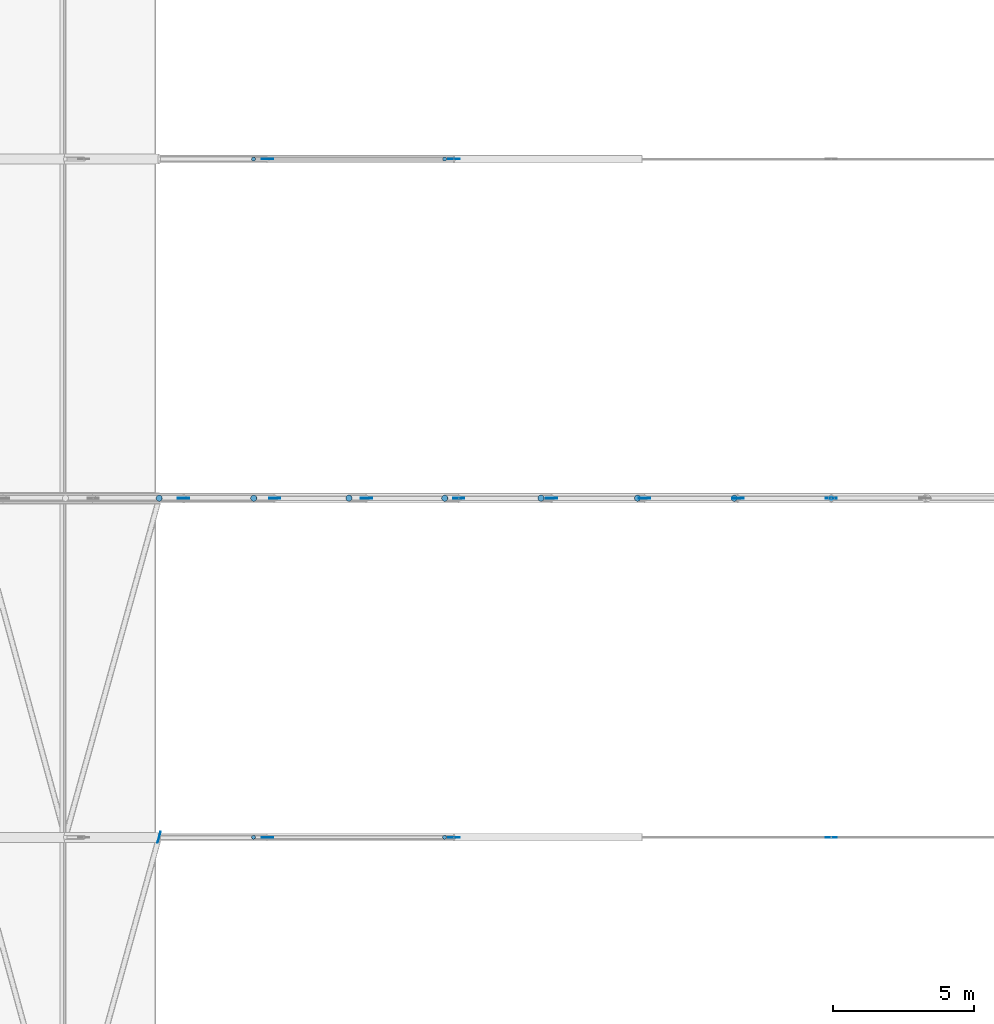
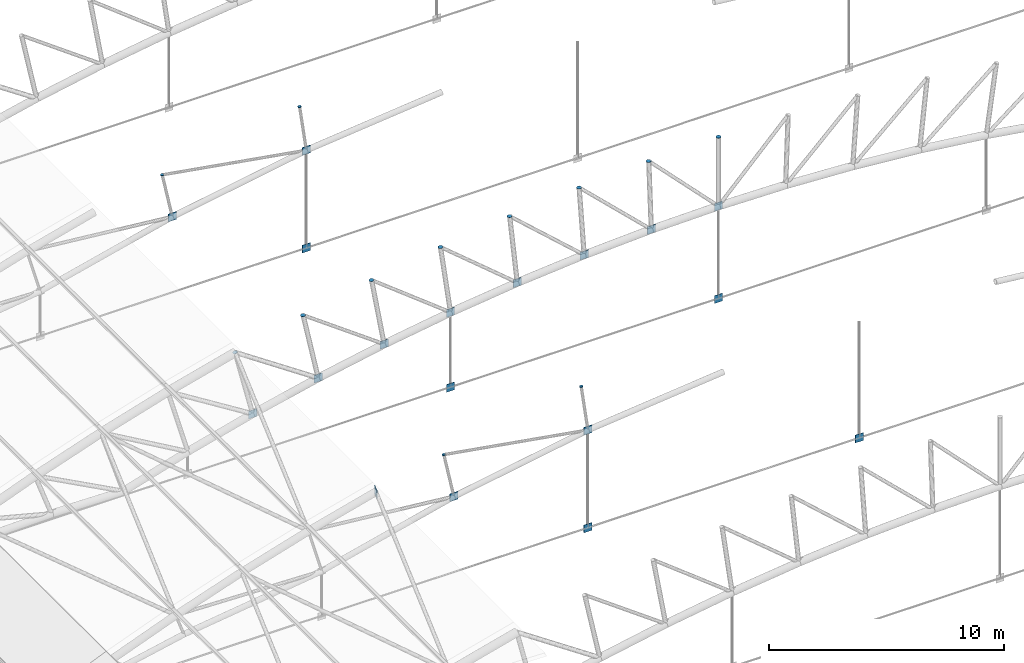
# One storey, part 275 of 321: 30 discrete accessories.
"""IFC4 building model written with IfcOpenShell, lengths in metres."""

from ifc_helpers import new_model, si_unit, direction, frame, origin, origin_2d, place, context, subcontext, project, spatial, rectangle, circle, extrude, material, material_profile, profile_set, type_object, element, save


model = new_model("IFC4")

# Units and contexts
model_context = context("Model", 3, precision=1e-05, world=origin(), true_north=direction((0.0, 1.0)))
body_context = subcontext(model_context, "Body", "Model", "MODEL_VIEW")
ifc_project = project(units=[si_unit("LENGTHUNIT", "METRE"), si_unit("AREAUNIT", "SQUARE_METRE"), si_unit("VOLUMEUNIT", "CUBIC_METRE"), si_unit("PLANEANGLEUNIT", "RADIAN"), si_unit("MASSUNIT", "GRAM", prefix="KILO")], contexts=[model_context])

# Site, building, storey
site_placement = place(None, origin())
site = spatial("IfcSite", under=ifc_project, at=site_placement, CompositionType="ELEMENT")
building_placement = place(site_placement, origin())
building = spatial("IfcBuilding", under=site, at=building_placement, Name="Ravi Spectrum Wholesale Market", CompositionType="ELEMENT")
storey_placement = place(building_placement, frame((0.0, 0.0, 10.800048828125)))
storey = spatial("IfcBuildingStorey", under=building, at=storey_placement, Name="L02", CompositionType="ELEMENT", Elevation=10.800048828125)

# Discrete accessories
ifc_material_1 = material(Name="Steel S355", Category="steel")
ifc_material_profile_1 = material_profile(ifc_material_1, circle(Radius=0.06982421875, at=origin_2d()))
ifc_profile_set_1 = profile_set([ifc_material_profile_1], Name="Steel S355")
discrete_accessory_type_1 = type_object("IfcDiscreteAccessoryType", Name="End plate CHS 139.7x5", PredefinedType="BRACKET", material=ifc_profile_set_1)
for number, where, z_axis, x_axis, name in (
    (1, (49.55859375, 114.0, 6.30224609375), (-0.203954254112, 0.0, 0.978980419738), (0.0, -1.0, 0.0), "End plate"),
    (2, (56.318115234375, 114.0, 7.479736328125), (-0.141421356237, 0.0, 0.989949493661), (0.0, -1.0, 0.0), "End plate"),
    (3, (49.55859375, 138.0, 6.30224609375), (-0.203954254112, 0.0, 0.978980419738), (0.0, -1.0, 0.0), "End plate"),
    (4, (56.318115234375, 138.0, 7.479736328125), (-0.141421356237, 0.0, 0.989949493661), (0.0, -1.0, 0.0), "End plate"),
):
    element("IfcDiscreteAccessory", number, at=place(storey_placement, frame(where, z_axis=z_axis, x_axis=x_axis)), inside=storey, type_object=discrete_accessory_type_1, Name=name, PredefinedType="BRACKET", context=body_context, shape_type="SweptSolid", body=[
        extrude(circle(Radius=0.06982421875, at=origin_2d()), origin(), (0.0, 0.0, 1.0), 0.011962890625),
    ])
ifc_material_2 = material(Name="Steel S355", Category="steel")
ifc_material_profile_2 = material_profile(ifc_material_2, circle(Radius=0.109619140625, at=origin_2d()))
ifc_profile_set_2 = profile_set([ifc_material_profile_2], Name="Steel S355")
discrete_accessory_type_2 = type_object("IfcDiscreteAccessoryType", Name="End plate CHS 219.1x8", PredefinedType="BRACKET", material=ifc_profile_set_2)
for number, where, z_axis, x_axis, name in (
    (5, (46.21923828125, 126.0, 5.514404296875), (-0.223376156329, 0.0, 0.974732318528), (0.0, -1.0, 0.0), "End plate"),
    (6, (49.563720703125, 126.0, 6.27734375), (-0.203954254112, 0.0, 0.978980419738), (0.0, -1.0, 0.0), "End plate"),
    (7, (52.9326171875, 126.0, 6.92431640625), (-0.18428853505, 0.0, 0.982872186934), (0.0, -1.0, 0.0), "End plate"),
    (8, (56.321533203125, 126.0, 7.45458984375), (-0.141421356237, 0.0, 0.989949493661), (0.0, -1.0, 0.0), "End plate"),
    (9, (59.726806640625, 126.0, 7.867919921875), (-0.101513688013, 0.0, 0.994834142531), (0.0, -1.0, 0.0), "End plate"),
    (10, (63.14453125, 126.0, 8.163330078125), (-0.081362009455, 0.0, 0.996684615823), (0.0, -1.0, 0.0), "End plate"),
    (11, (66.5703125, 126.0, 8.3408203125), (-0.040782369514, 0.0, 0.999168053101), (0.0, -1.0, 0.0), "End plate"),
    (12, (70.0, 126.0, 8.39990234375), (0.0, 0.0, 1.0), (1.0, 0.0, 0.0), "End plate"),
):
    element("IfcDiscreteAccessory", number, at=place(storey_placement, frame(where, z_axis=z_axis, x_axis=x_axis)), inside=storey, type_object=discrete_accessory_type_2, Name=name, PredefinedType="BRACKET", context=body_context, shape_type="SweptSolid", body=[
        extrude(circle(Radius=0.109619140625, at=origin_2d()), origin(), (0.0, 0.0, 1.0), 0.011962890625),
    ])
ifc_material_3 = material(Name="Steel S355", Category="steel")
ifc_material_profile_3 = material_profile(ifc_material_3, rectangle(XDim=0.39990234375, YDim=0.02001953125, at=origin_2d()))
ifc_profile_set_3 = profile_set([ifc_material_profile_3], Name="Steel S355")
discrete_accessory_type_3 = type_object("IfcDiscreteAccessoryType", Name="Gusset plate 400x400x20", PredefinedType="BRACKET", material=ifc_profile_set_3)
discrete_accessory_1_placement = place(storey_placement, frame((46.213134765625, 114.0, 5.339111328125), z_axis=(0.0, 0.0, 1.0), x_axis=(0.265907436453, 0.963998565994, 0.0)))
element("IfcDiscreteAccessory", 13, at=discrete_accessory_1_placement, inside=storey, type_object=discrete_accessory_type_3, Name="Gusset plate", PredefinedType="BRACKET", context=body_context, shape_type="SweptSolid", body=[
    extrude(rectangle(XDim=0.39990234375, YDim=0.02001953125, at=origin_2d()), origin(), (0.0, 0.0, 1.0), 0.400146484375),
])
for number, where, z_axis, x_axis, name in (
    (14, (47.080322265625, 126.0, 1.819091796875), (0.0, 0.0, 1.0), (1.0, 0.0, 0.0), "Gusset plate"),
    (15, (50.0517578125, 114.0, 3.75341796875), (0.0, 0.0, 1.0), (1.0, 0.0, 0.0), "Gusset plate"),
    (16, (50.0517578125, 138.0, 3.75341796875), (0.0, 0.0, 1.0), (1.0, 0.0, 0.0), "Gusset plate"),
    (17, (50.3037109375, 126.0, 2.55419921875), (0.0, 0.0, 1.0), (1.0, 0.0, 0.0), "Gusset plate"),
    (18, (53.55029296875, 126.0, 3.177734375), (0.0, 0.0, 1.0), (1.0, 0.0, 0.0), "Gusset plate"),
    (19, (56.648193359375, 114.0, -0.1767578125), (0.0, 0.0, 1.0), (1.0, 0.0, 0.0), "Gusset plate"),
):
    element("IfcDiscreteAccessory", number, at=place(storey_placement, frame(where, z_axis=z_axis, x_axis=x_axis)), inside=storey, type_object=discrete_accessory_type_3, Name=name, PredefinedType="BRACKET", context=body_context, shape_type="SweptSolid", body=[
        extrude(rectangle(XDim=0.39990234375, YDim=0.02001953125, at=origin_2d()), origin(), (0.0, 0.0, 1.0), 0.39990234375),
    ])
discrete_accessory_2_placement = place(storey_placement, frame((56.648193359375, 114.0, 4.902587890625), z_axis=(0.0, 0.0, 1.0), x_axis=(1.0, 0.0, 0.0)))
element("IfcDiscreteAccessory", 20, at=discrete_accessory_2_placement, inside=storey, type_object=discrete_accessory_type_3, Name="Gusset plate", PredefinedType="BRACKET", context=body_context, shape_type="SweptSolid", body=[
    extrude(rectangle(XDim=0.39990234375, YDim=0.02001953125, at=origin_2d()), origin(), (0.0, 0.0, 1.0), 0.400146484375),
])
discrete_accessory_3_placement = place(storey_placement, frame((56.648193359375, 138.0, -0.1767578125), z_axis=(0.0, 0.0, 1.0), x_axis=(1.0, 0.0, 0.0)))
element("IfcDiscreteAccessory", 21, at=discrete_accessory_3_placement, inside=storey, type_object=discrete_accessory_type_3, Name="Gusset plate", PredefinedType="BRACKET", context=body_context, shape_type="SweptSolid", body=[
    extrude(rectangle(XDim=0.39990234375, YDim=0.02001953125, at=origin_2d()), origin(), (0.0, 0.0, 1.0), 0.39990234375),
])
discrete_accessory_4_placement = place(storey_placement, frame((56.648193359375, 138.0, 4.902587890625), z_axis=(0.0, 0.0, 1.0), x_axis=(1.0, 0.0, 0.0)))
element("IfcDiscreteAccessory", 22, at=discrete_accessory_4_placement, inside=storey, type_object=discrete_accessory_type_3, Name="Gusset plate", PredefinedType="BRACKET", context=body_context, shape_type="SweptSolid", body=[
    extrude(rectangle(XDim=0.39990234375, YDim=0.02001953125, at=origin_2d()), origin(), (0.0, 0.0, 1.0), 0.400146484375),
])
for number, where, z_axis, x_axis, name in (
    (23, (56.81689453125, 126.0, -0.199951171875), (0.0, 0.0, 1.0), (1.0, 0.0, 0.0), "Gusset plate"),
    (24, (56.81689453125, 126.0, 3.68896484375), (0.0, 0.0, 1.0), (1.0, 0.0, 0.0), "Gusset plate"),
    (25, (60.098876953125, 126.0, 4.087158203125), (0.0, 0.0, 1.0), (1.0, 0.0, 0.0), "Gusset plate"),
):
    element("IfcDiscreteAccessory", number, at=place(storey_placement, frame(where, z_axis=z_axis, x_axis=x_axis)), inside=storey, type_object=discrete_accessory_type_3, Name=name, PredefinedType="BRACKET", context=body_context, shape_type="SweptSolid", body=[
        extrude(rectangle(XDim=0.39990234375, YDim=0.02001953125, at=origin_2d()), origin(), (0.0, 0.0, 1.0), 0.39990234375),
    ])
discrete_accessory_5_placement = place(storey_placement, frame((63.392578125, 126.0, 4.371826171875), z_axis=(0.0, 0.0, 1.0), x_axis=(1.0, 0.0, 0.0)))
element("IfcDiscreteAccessory", 26, at=discrete_accessory_5_placement, inside=storey, type_object=discrete_accessory_type_3, Name="Gusset plate", PredefinedType="BRACKET", context=body_context, shape_type="SweptSolid", body=[
    extrude(rectangle(XDim=0.39990234375, YDim=0.02001953125, at=origin_2d()), origin(), (0.0, 0.0, 1.0), 0.400146484375),
])
for number, where, z_axis, x_axis, name in (
    (27, (66.6943359375, 126.0, 4.54296875), (0.0, 0.0, 1.0), (1.0, 0.0, 0.0), "Gusset plate"),
    (28, (70.0, 114.0, -0.1767578125), (0.0, 0.0, 1.0), (1.0, 0.0, 0.0), "Gusset plate"),
    (29, (70.0, 126.0, -0.199951171875), (0.0, 0.0, 1.0), (1.0, 0.0, 0.0), "Gusset plate"),
):
    element("IfcDiscreteAccessory", number, at=place(storey_placement, frame(where, z_axis=z_axis, x_axis=x_axis)), inside=storey, type_object=discrete_accessory_type_3, Name=name, PredefinedType="BRACKET", context=body_context, shape_type="SweptSolid", body=[
        extrude(rectangle(XDim=0.39990234375, YDim=0.02001953125, at=origin_2d()), origin(), (0.0, 0.0, 1.0), 0.39990234375),
    ])
discrete_accessory_6_placement = place(storey_placement, frame((70.0, 126.0, 4.599853515625), z_axis=(0.0, 0.0, 1.0), x_axis=(1.0, 0.0, 0.0)))
element("IfcDiscreteAccessory", 30, at=discrete_accessory_6_placement, inside=storey, type_object=discrete_accessory_type_3, Name="Gusset plate", PredefinedType="BRACKET", context=body_context, shape_type="SweptSolid", body=[
    extrude(rectangle(XDim=0.39990234375, YDim=0.02001953125, at=origin_2d()), origin(), (0.0, 0.0, 1.0), 0.400146484375),
])

save(model, "model.ifc")
